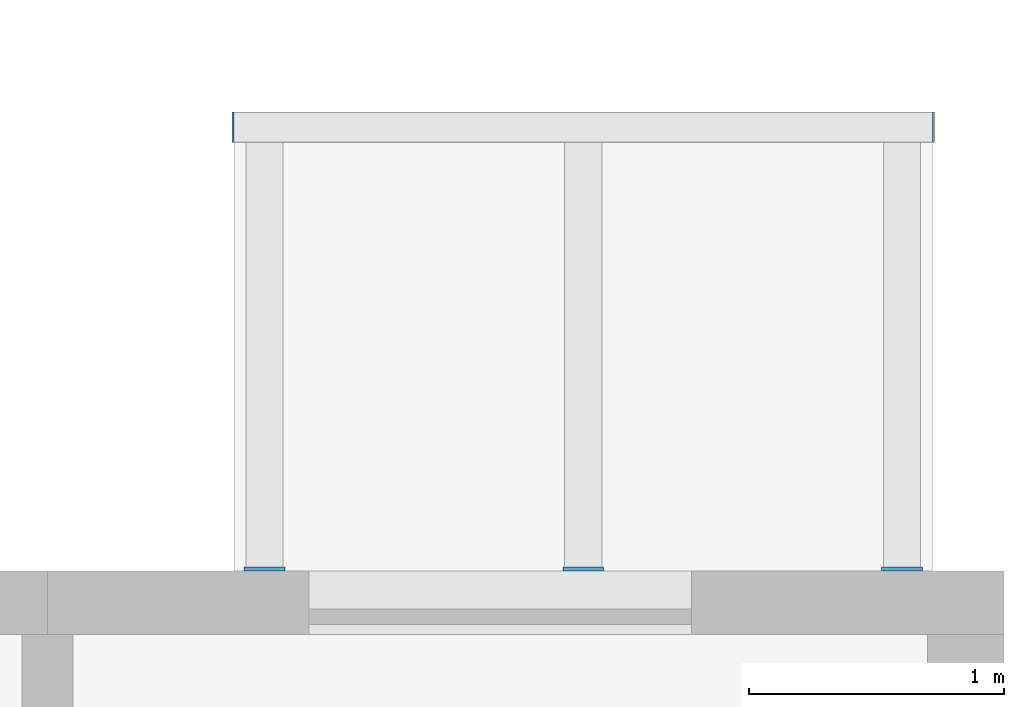
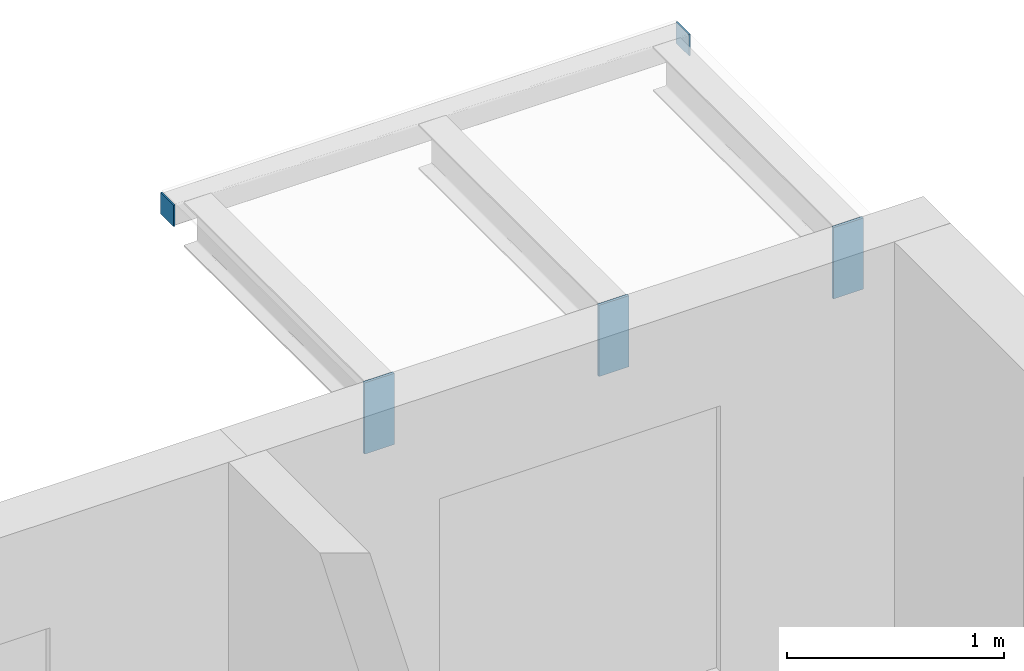
# One storey, part 75 of 98: 5 discrete accessories.
"""IFC4 building model written with IfcOpenShell, lengths in metres."""

from ifc_helpers import new_model, si_unit, direction, frame, origin, origin_2d, place, context, subcontext, project, spatial, rectangle, extrude, material, layer, layer_set, type_object, element, save


model = new_model("IFC4")

# Units and contexts
model_context = context("Model", 3, precision=1e-05, world=origin(), true_north=direction((0.0, 1.0)))
body_context = subcontext(model_context, "Body", "Model", "MODEL_VIEW")
ifc_project = project(units=[si_unit("LENGTHUNIT", "METRE"), si_unit("AREAUNIT", "SQUARE_METRE"), si_unit("VOLUMEUNIT", "CUBIC_METRE"), si_unit("PLANEANGLEUNIT", "RADIAN"), si_unit("MASSUNIT", "GRAM", prefix="KILO")], contexts=[model_context])

# Site, building, storey
site_placement = place(None, origin())
site = spatial("IfcSite", under=ifc_project, at=site_placement, CompositionType="ELEMENT")
building_placement = place(site_placement, origin())
building = spatial("IfcBuilding", under=site, at=building_placement, Name="Ridgestep Commons", CompositionType="ELEMENT")
storey_placement = place(building_placement, frame((0.0, 0.0, 12.0)))
storey = spatial("IfcBuildingStorey", under=building, at=storey_placement, Name="L04", CompositionType="ELEMENT", Elevation=12.0)

# Discrete accessories
ifc_material_1 = material(Name="Weathering steel S355J2W", Category="steel")
ifc_layer_1 = layer(ifc_material_1, 0.014892578125)
ifc_layer_set_1 = layer_set([ifc_layer_1], Name="Tray bracket plate 15")
discrete_accessory_type_1 = type_object("IfcDiscreteAccessoryType", Name="Tray bracket plate 15", PredefinedType="BRACKET", material=ifc_layer_set_1)
for number, where, z_axis, x_axis, name in (
    (1, (244.85009765625, 77.257568359375, 2.588623046875), (0.0, 0.0, 1.0), (1.0, 0.0, 0.0), "Tray bracket C6T1-05.1"),
    (2, (246.10009765625, 77.257568359375, 2.588623046875), (0.0, 0.0, 1.0), (1.0, 0.0, 0.0), "Tray bracket C6T1-05.2"),
    (3, (247.35009765625, 77.257568359375, 2.588623046875), (0.0, 0.0, 1.0), (1.0, 0.0, 0.0), "Tray bracket C6T1-05.3"),
):
    element("IfcDiscreteAccessory", number, at=place(storey_placement, frame(where, z_axis=z_axis, x_axis=x_axis)), inside=storey, type_object=discrete_accessory_type_1, Name=name, PredefinedType="BRACKET", context=body_context, shape_type="SweptSolid", body=[
        extrude(rectangle(XDim=0.159912109375, YDim=0.014892578125, at=origin_2d()), origin(), (0.0, 0.0, 1.0), 0.4013671875),
    ])
ifc_material_2 = material(Name="Weathering steel S355J2W", Category="steel")
ifc_layer_2 = layer(ifc_material_2, 0.008056640625)
ifc_layer_set_2 = layer_set([ifc_layer_2], Name="Tray edge member end plate 120 x 120 x 8")
discrete_accessory_type_2 = type_object("IfcDiscreteAccessoryType", Name="Tray edge member end plate 120 x 120 x 8", PredefinedType="BRACKET", material=ifc_layer_set_2)
for number, where, z_axis, x_axis, name in (
    (4, (244.72607421875, 78.989990234375, 2.869873046875), (0.0, 0.0, 1.0), (1.0, 0.0, 0.0), "Tray edge member end plate C6T1-05 west"),
    (5, (247.47412109375, 78.989990234375, 2.869873046875), (0.0, 0.0, 1.0), (1.0, 0.0, 0.0), "Tray edge member end plate C6T1-05 east"),
):
    element("IfcDiscreteAccessory", number, at=place(storey_placement, frame(where, z_axis=z_axis, x_axis=x_axis)), inside=storey, type_object=discrete_accessory_type_2, Name=name, PredefinedType="BRACKET", context=body_context, shape_type="SweptSolid", body=[
        extrude(rectangle(XDim=0.008056640625, YDim=0.1201171875, at=origin_2d()), origin(), (0.0, 0.0, 1.0), 0.1201171875),
    ])

save(model, "model.ifc")
